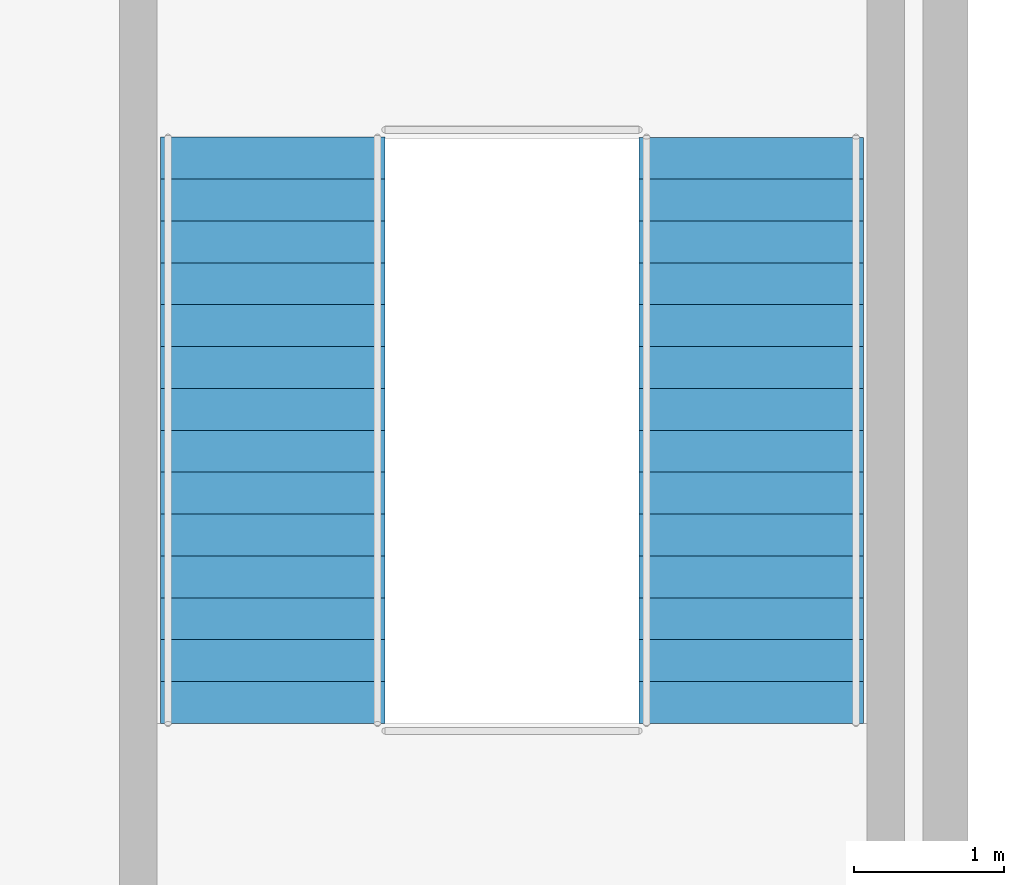
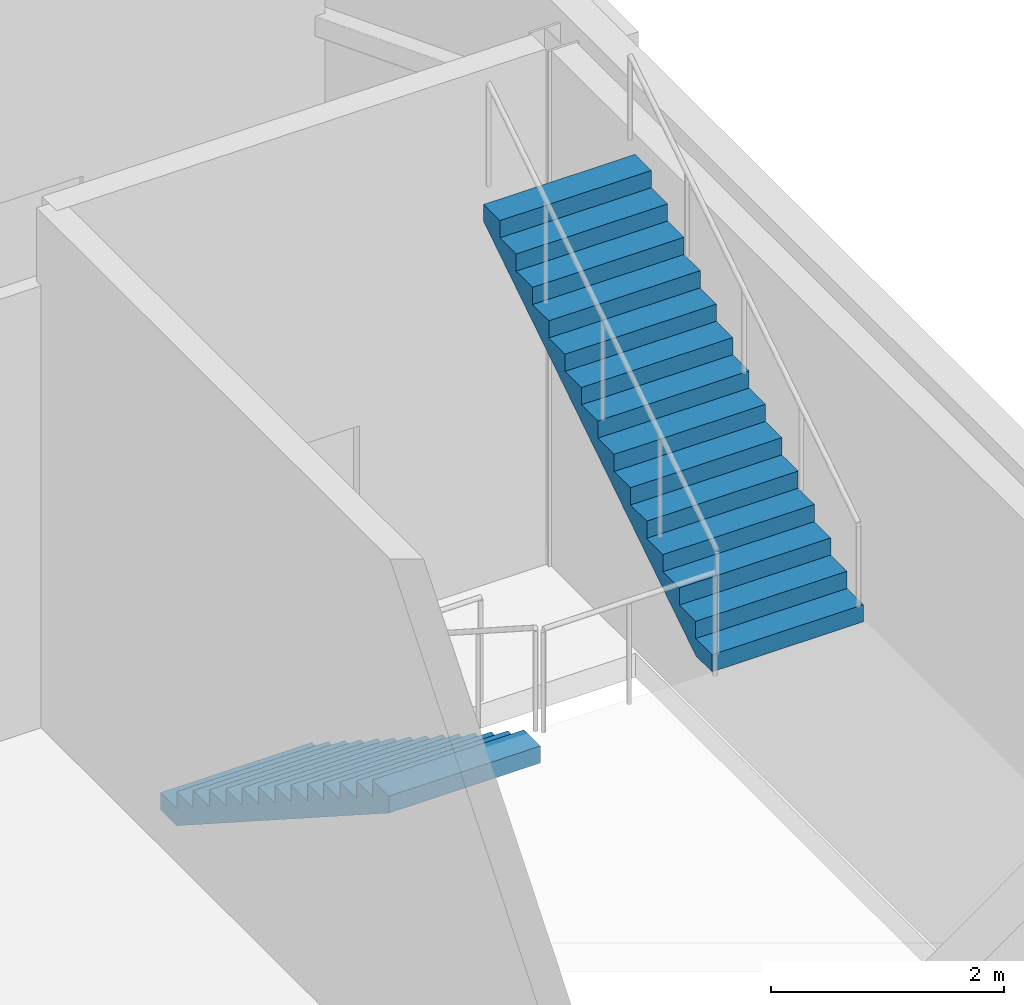
# One storey, part 125 of 170: 2 stair flights, 1 element without a shape of its own.
"""IFC4 building model written with IfcOpenShell, lengths in metres."""

from ifc_helpers import new_model, si_unit, direction, frame, origin, place, context, subcontext, project, spatial, polyline, outline, extrude, material, type_object, element, aggregate, save


model = new_model("IFC4")

# Units and contexts
model_context = context("Model", 3, precision=1e-05, world=origin(), true_north=direction((0.0, 1.0)))
body_context = subcontext(model_context, "Body", "Model", "MODEL_VIEW")
ifc_project = project(units=[si_unit("LENGTHUNIT", "METRE"), si_unit("AREAUNIT", "SQUARE_METRE"), si_unit("VOLUMEUNIT", "CUBIC_METRE"), si_unit("PLANEANGLEUNIT", "RADIAN"), si_unit("MASSUNIT", "GRAM", prefix="KILO")], contexts=[model_context])

# Site, building, storey
site_placement = place(None, origin())
site = spatial("IfcSite", under=ifc_project, at=site_placement, CompositionType="ELEMENT")
building_placement = place(site_placement, origin())
building = spatial("IfcBuilding", under=site, at=building_placement, Name="Ravi Spectrum Wholesale Market", CompositionType="ELEMENT")
storey_placement = place(building_placement, frame((0.0, 0.0, 5.39990234375)))
storey = spatial("IfcBuildingStorey", under=building, at=storey_placement, Name="L01", CompositionType="ELEMENT", Elevation=5.39990234375)

# Stair, stair flights
ifc_material_1 = material(Name="Concrete C35/45", Category="concrete")
stair_type = type_object("IfcStairType", Name="Stair", PredefinedType="NOTDEFINED", material=ifc_material_1)
stair_placement = place(storey_placement, origin())
stair = element("IfcStair", 1, at=stair_placement, inside=storey, type_object=stair_type, Name="L01 S-CS-2", PredefinedType="HALF_TURN_STAIR")
ifc_material_2 = material(Name="Concrete C35/45", Category="concrete")
stair_flight_type = type_object("IfcStairFlightType", Name="Stair flight", PredefinedType="STRAIGHT", material=ifc_material_2)
stair_flight_1_placement = place(storey_placement, frame((277.89990234375, 40.35009765625, 0.0), z_axis=(0.0, 0.0, 1.0), x_axis=(0.0, -1.0, 0.0)))
stair_flight_1 = element("IfcStairFlight", 2, at=stair_flight_1_placement, type_object=stair_flight_type, Name="S-CS-2 flight 1", NumberOfRisers=15, NumberOfTreads=14, PredefinedType="STRAIGHT", RiserHeight=0.18, TreadLength=0.28, context=body_context, shape_type="SweptSolid", body=[
    extrude(outline(polyline([(0.0, 0.0), (0.0, 0.179931640625), (0.280029296875, 0.179931640625), (0.280029296875, 0.360107421875), (0.56005859375, 0.360107421875), (0.56005859375, 0.5400390625), (0.840087890625, 0.5400390625), (0.840087890625, 0.719970703125), (1.1201171875, 0.719970703125), (1.1201171875, 0.89990234375), (1.39990234375, 0.89990234375), (1.39990234375, 1.080078125), (1.679931640625, 1.080078125), (1.679931640625, 1.260009765625), (1.9599609375, 1.260009765625), (1.9599609375, 1.43994140625), (2.239990234375, 1.43994140625), (2.239990234375, 1.6201171875), (2.52001953125, 1.6201171875), (2.52001953125, 1.800048828125), (2.800048828125, 1.800048828125), (2.800048828125, 1.97998046875), (3.080078125, 1.97998046875), (3.080078125, 2.159912109375), (3.360107421875, 2.159912109375), (3.360107421875, 2.340087890625), (3.639892578125, 2.340087890625), (3.639892578125, 2.52001953125), (3.919921875, 2.52001953125), (3.919921875, 2.699951171875), (3.919921875, 2.341796875), (0.277099609375, 0.0), (0.0, 0.0)])), frame((0.0, 0.75, 0.0), z_axis=(0.0, -1.0, 0.0), x_axis=(1.0, 0.0, 0.0)), (0.0, 0.0, 1.0), 1.5),
])
stair_flight_2_placement = place(storey_placement, frame((281.10009765625, 36.429931640625, 2.7001953125), z_axis=(0.0, 0.0, 1.0), x_axis=(0.0, 1.0, 0.0)))
stair_flight_2 = element("IfcStairFlight", 3, at=stair_flight_2_placement, type_object=stair_flight_type, Name="S-CS-2 flight 2", NumberOfRisers=15, NumberOfTreads=14, PredefinedType="STRAIGHT", RiserHeight=0.18, TreadLength=0.28, context=body_context, shape_type="SweptSolid", body=[
    extrude(outline(polyline([(0.0, 0.0), (0.0, 0.179931640625), (0.280029296875, 0.179931640625), (0.280029296875, 0.360107421875), (0.56005859375, 0.360107421875), (0.56005859375, 0.5400390625), (0.840087890625, 0.5400390625), (0.840087890625, 0.719970703125), (1.1201171875, 0.719970703125), (1.1201171875, 0.89990234375), (1.39990234375, 0.89990234375), (1.39990234375, 1.080078125), (1.679931640625, 1.080078125), (1.679931640625, 1.260009765625), (1.9599609375, 1.260009765625), (1.9599609375, 1.43994140625), (2.239990234375, 1.43994140625), (2.239990234375, 1.6201171875), (2.52001953125, 1.6201171875), (2.52001953125, 1.800048828125), (2.800048828125, 1.800048828125), (2.800048828125, 1.97998046875), (3.080078125, 1.97998046875), (3.080078125, 2.159912109375), (3.360107421875, 2.159912109375), (3.360107421875, 2.340087890625), (3.639892578125, 2.340087890625), (3.639892578125, 2.52001953125), (3.919921875, 2.52001953125), (3.919921875, 2.699951171875), (3.919921875, 2.341796875), (0.277099609375, 0.0), (0.0, 0.0)])), frame((0.0, 0.75, 0.0), z_axis=(0.0, -1.0, 0.0), x_axis=(1.0, 0.0, 0.0)), (0.0, 0.0, 1.0), 1.5),
])
aggregate(stair, [stair_flight_1, stair_flight_2])

save(model, "model.ifc")
